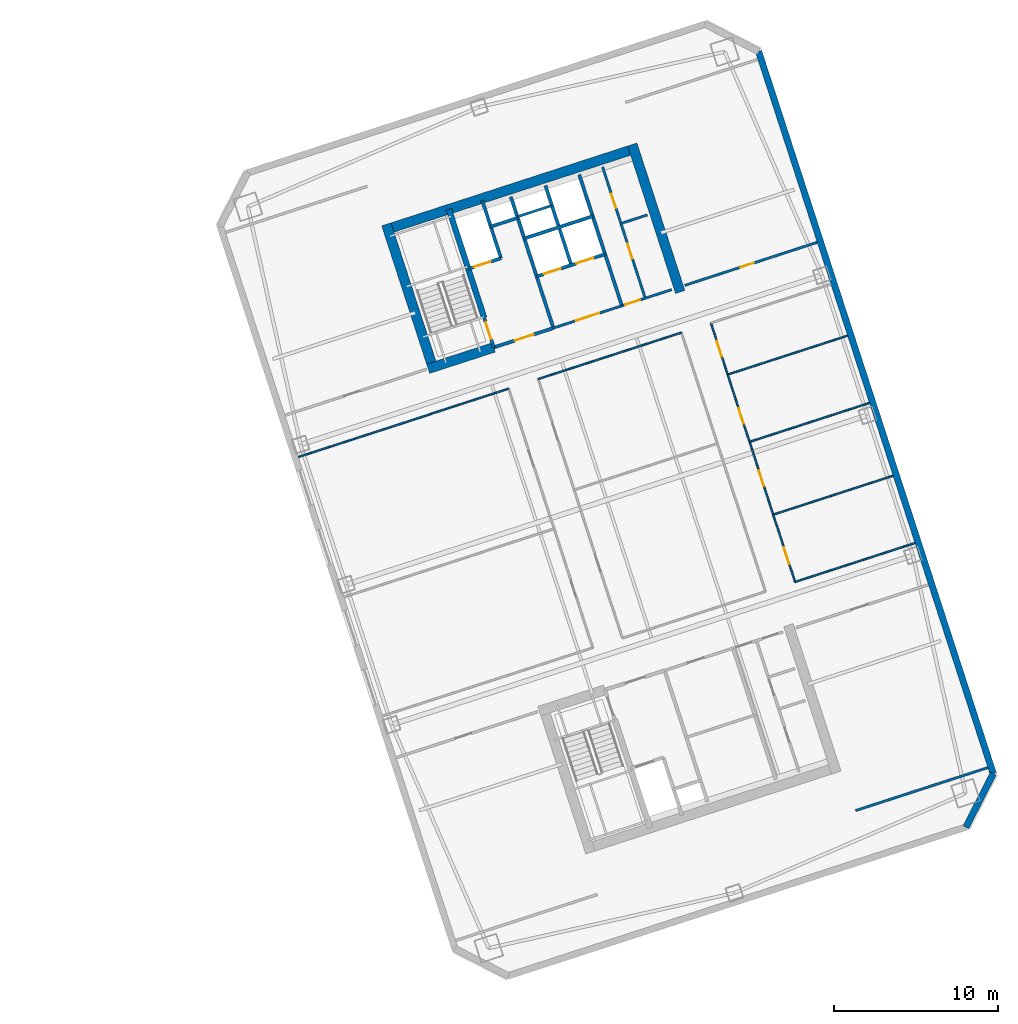
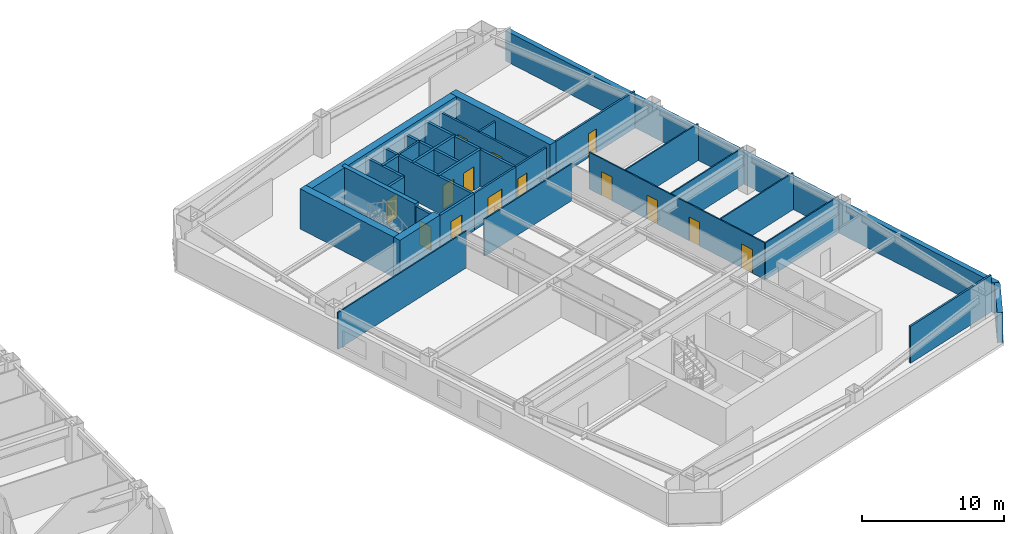
# One storey, part 7 of 10: 31 walls, 14 doors, 14 openings.
"""IFC4 building model written with IfcOpenShell, lengths in metres."""

from ifc_helpers import new_model, si_unit, direction, frame, frame_2d, origin, place, context, subcontext, project, spatial, rectangle, extrude, material, layer, layer_set, type_object, element, fill, save


model = new_model("IFC4")

# Units and contexts
model_context = context("Model", 3, precision=1e-05, world=origin(), true_north=direction((0.0, 1.0)))
body_context = subcontext(model_context, "Body", "Model", "MODEL_VIEW")
ifc_project = project(units=[si_unit("LENGTHUNIT", "METRE"), si_unit("AREAUNIT", "SQUARE_METRE"), si_unit("VOLUMEUNIT", "CUBIC_METRE"), si_unit("PLANEANGLEUNIT", "RADIAN"), si_unit("MASSUNIT", "GRAM", prefix="KILO")], contexts=[model_context])

# Site, building, storey
site_placement = place(None, origin())
site = spatial("IfcSite", under=ifc_project, at=site_placement, CompositionType="ELEMENT")
building_placement = place(site_placement, origin())
building = spatial("IfcBuilding", under=site, at=building_placement, Name="Qiaolan Cultural Towers", CompositionType="ELEMENT")
storey_placement = place(building_placement, frame((0.0, 0.0, 127.64990234375)))
storey = spatial("IfcBuildingStorey", under=building, at=storey_placement, Name="L33", CompositionType="ELEMENT", Elevation=127.64990234375)

# Walls
ifc_material_1 = material(Name="Concrete C50", Category="concrete")
ifc_layer_1 = layer(ifc_material_1, 0.35009765625)
ifc_layer_set_1 = layer_set([ifc_layer_1], Name="Concrete C50")
wall_type_1 = type_object("IfcWallType", Name="WL-CORE-350", PredefinedType="SHEAR", material=ifc_layer_set_1)
wall_1_placement = place(storey_placement, frame((82.513671875, 45.13134765625, 0.0), z_axis=(0.0, 0.0, 1.0), x_axis=(-0.308988790936, 0.951065679686, 0.0)))
element("IfcWall", 1, at=wall_1_placement, inside=storey, type_object=wall_type_1, Name="L33 T2-CN Stair Core Dividing Web", PredefinedType="SHEAR", context=body_context, shape_type="SweptSolid", body=[
    extrude(rectangle(XDim=6.97998046875, YDim=0.35009765625, at=frame_2d((3.489990234375, 0.0))), origin(), (0.0, 0.0, 1.0), 3.4501953125),
])
ifc_material_2 = material(Name="Concrete C55", Category="concrete")
ifc_layer_2 = layer(ifc_material_2, 0.60009765625)
ifc_layer_set_2 = layer_set([ifc_layer_2], Name="Concrete C55")
wall_type_2 = type_object("IfcWallType", Name="WL-CORE-600", PredefinedType="SHEAR", material=ifc_layer_set_2)
wall_2_placement = place(storey_placement, frame((76.343505859375, 50.4658203125, 0.0), z_axis=(0.0, 0.0, 1.0), x_axis=(0.951055727519, 0.309019421968, 0.0)))
element("IfcWall", 2, at=wall_2_placement, inside=storey, type_object=wall_type_2, Name="L33 T2-CN Outer Core Shear Wall", PredefinedType="SHEAR", context=body_context, shape_type="SweptSolid", body=[
    extrude(rectangle(XDim=16.39990234375, YDim=0.60009765625, at=frame_2d((8.199951171875, 0.0))), origin(), (0.0, 0.0, 1.0), 3.4501953125),
])
for number, where, z_axis, x_axis, name in (
    (3, (79.465576171875, 41.827880859375, 0.0), (0.0, 0.0, 1.0), (-0.309041232772, 0.951048640421, 0.0), "L33 T2-CN West Core Shear Wall"),
    (4, (94.4921875, 46.710205078125, 0.0), (0.0, 0.0, 1.0), (-0.309010370028, 0.95105866865, 0.0), "L33 T2-CN East Core Shear Wall"),
):
    element("IfcWall", number, at=place(storey_placement, frame(where, z_axis=z_axis, x_axis=x_axis)), inside=storey, type_object=wall_type_2, Name=name, PredefinedType="SHEAR", context=body_context, shape_type="SweptSolid", body=[
        extrude(rectangle(XDim=9.47998046875, YDim=0.60009765625, at=frame_2d((4.739990234375, 0.0))), origin(), (0.0, 0.0, 1.0), 3.4501953125),
    ])
wall_3_placement = place(storey_placement, frame((79.08740234375, 42.0205078125, 0.0), z_axis=(0.0, 0.0, 1.0), x_axis=(0.951062550203, 0.3089984233, 0.0)))
element("IfcWall", 5, at=wall_3_placement, inside=storey, type_object=wall_type_2, Name="L33 T2-CN Stair Front Shear Wall", PredefinedType="SHEAR", context=body_context, shape_type="SweptSolid", body=[
    extrude(rectangle(XDim=4.219970703125, YDim=0.60009765625, at=frame_2d((2.10986328125, 0.0))), origin(), (0.0, 0.0, 1.0), 3.4501953125),
])
ifc_material_3 = material(Name="Precast Concrete C50 Honed Stone Pier", Category="masonry")
ifc_layer_3 = layer(ifc_material_3, 0.39990234375)
ifc_layer_set_3 = layer_set([ifc_layer_3], Name="Precast Concrete C50 Honed Stone Pier")
wall_type_3 = type_object("IfcWallType", Name="WL-EXT-PIER-400", PredefinedType="SOLIDWALL", material=ifc_layer_set_3)
wall_4_placement = place(storey_placement, frame((99.2841796875, 61.410400390625, 0.0), z_axis=(0.0, 0.0, 1.0), x_axis=(0.309017542002, -0.95105633836, 0.0)))
element("IfcWall", 6, at=wall_4_placement, inside=storey, type_object=wall_type_3, Name="L33 East Tower Precast Pier Facade Wall F5", PredefinedType="SOLIDWALL", context=body_context, shape_type="SweptSolid", body=[
    extrude(rectangle(XDim=46.39990234375, YDim=0.39990234375, at=frame_2d((23.199951171875, 0.0))), origin(), (0.0, 0.0, 1.0), 2.610107421875),
])
wall_5_placement = place(storey_placement, frame((113.62255859375, 17.281494140625, 0.0), z_axis=(0.0, 0.0, 1.0), x_axis=(-0.454026238093, -0.890988313685, 0.0)))
element("IfcWall", 7, at=wall_5_placement, inside=storey, type_object=wall_type_3, Name="L33 East Tower Precast Pier Facade Wall F6", PredefinedType="SOLIDWALL", context=body_context, shape_type="SweptSolid", body=[
    extrude(rectangle(XDim=3.677001953125, YDim=0.39990234375, at=frame_2d((1.83837890625, 0.0))), origin(), (0.0, 0.0, 1.0), 2.610107421875),
])

# Wall, opening, door
ifc_material_4 = material(Name="Concrete C35 Fire Wall", Category="concrete")
ifc_layer_4 = layer(ifc_material_4, 0.199951171875)
ifc_layer_set_4 = layer_set([ifc_layer_4], Name="Concrete C35 Fire Wall")
wall_type_4 = type_object("IfcWallType", Name="WL-FIRE-200", PredefinedType="PARTITIONING", material=ifc_layer_set_4)
wall_6_placement = place(storey_placement, frame((83.100830078125, 43.324462890625, 0.0), z_axis=(0.0, 0.0, 1.0), x_axis=(-0.309048298632, 0.951046344356, 0.0)))
wall_6 = element("IfcWall", 8, at=wall_6_placement, inside=storey, type_object=wall_type_4, Name="L33 T2-CN Smokeproof Stair Entry Wall", PredefinedType="PARTITIONING", context=body_context, shape_type="SweptSolid", body=[
    extrude(rectangle(XDim=1.89990234375, YDim=0.199951171875, at=frame_2d((0.949951171875, 0.0))), origin(), (0.0, 0.0, 1.0), 3.175048828125),
])
opening_1_placement = place(wall_6_placement, frame((0.52001953125, 0.0, 0.0)))
opening_1 = element("IfcOpeningElement", 9, at=opening_1_placement, cuts=wall_6, Name="Opening FD-04", PredefinedType="OPENING", context=body_context, shape_type="SweptSolid", body=[
    extrude(rectangle(XDim=1.10009765625, YDim=2.050048828125, at=frame_2d((0.550048828125, 1.02490234375))), frame((0.0, 0.10986328125, 0.0), z_axis=(0.0, -1.0, 0.0), x_axis=(1.0, 0.0, 0.0)), (0.0, 0.0, 1.0), 0.219970703125),
])
ifc_material_5 = material(Name="Galvanized Steel Command Fire Door", Category="steel")
door_type_1 = type_object("IfcDoorType", Name="DR-FD90-1100", OperationType="NOTDEFINED", PredefinedType="DOOR", material=ifc_material_5)
door_1_placement = place(opening_1_placement, origin())
door_1 = element("IfcDoor", 10, at=door_1_placement, inside=storey, type_object=door_type_1, Name="L33 ST-E2 Smokeproof Stair Fire Door", OperationType="SINGLE_SWING_LEFT", OverallHeight=2.050048828125, OverallWidth=1.10009765625, PredefinedType="DOOR", context=body_context, shape_type="SweptSolid", body=[
    extrude(rectangle(XDim=1.10009765625, YDim=2.050048828125, at=frame_2d((0.550048828125, 1.02490234375))), frame((0.0, 0.02490234375, 0.0), z_axis=(0.0, -1.0, 0.0), x_axis=(1.0, 0.0, 0.0)), (0.0, 0.0, 1.0), 0.050048828125),
])
fill(opening_1, door_1)

# Wall
wall_7_placement = place(storey_placement, frame((86.743408203125, 44.508056640625, 0.0), z_axis=(0.0, 0.0, 1.0), x_axis=(-0.309016001439, 0.951056838919, 0.0)))
element("IfcWall", 11, at=wall_7_placement, inside=storey, type_object=wall_type_4, Name="L33 T2-CN Firefighting Zone Wall", PredefinedType="PARTITIONING", context=body_context, shape_type="SweptSolid", body=[
    extrude(rectangle(XDim=8.429931640625, YDim=0.199951171875, at=frame_2d((4.21484375, 0.0))), origin(), (0.0, 0.0, 1.0), 3.175048828125),
])

# Wall, opening, door
wall_8_placement = place(storey_placement, frame((83.100830078125, 43.324462890625, 0.0), z_axis=(0.0, 0.0, 1.0), x_axis=(0.951052804469, 0.309028417967, 0.0)))
wall_8 = element("IfcWall", 12, at=wall_8_placement, inside=storey, type_object=wall_type_4, Name="L33 T2-CN Firefighting Lobby Front Wall", PredefinedType="PARTITIONING", context=body_context, shape_type="SweptSolid", body=[
    extrude(rectangle(XDim=3.830078125, YDim=0.199951171875, at=frame_2d((1.9150390625, 0.0))), origin(), (0.0, 0.0, 1.0), 3.175048828125),
])
opening_2_placement = place(wall_8_placement, frame((1.35009765625, 0.0, 0.0)))
opening_2 = element("IfcOpeningElement", 13, at=opening_2_placement, cuts=wall_8, Name="Opening FD-03", PredefinedType="OPENING", context=body_context, shape_type="SweptSolid", body=[
    extrude(rectangle(XDim=1.199951171875, YDim=2.050048828125, at=frame_2d((0.60009765625, 1.02490234375))), frame((0.0, 0.10986328125, 0.0), z_axis=(0.0, -1.0, 0.0), x_axis=(1.0, 0.0, 0.0)), (0.0, 0.0, 1.0), 0.219970703125),
])
ifc_material_6 = material(Name="Galvanized Steel Smokeproof Lobby Fire Door", Category="steel")
door_type_2 = type_object("IfcDoorType", Name="DR-FD90-1200", OperationType="NOTDEFINED", PredefinedType="DOOR", material=ifc_material_6)
door_2_placement = place(opening_2_placement, origin())
door_2 = element("IfcDoor", 14, at=door_2_placement, inside=storey, type_object=door_type_2, Name="L33 FFL-E2 Firefighting Lobby Fire Door", OperationType="SINGLE_SWING_LEFT", OverallHeight=2.050048828125, OverallWidth=1.199951171875, PredefinedType="DOOR", context=body_context, shape_type="SweptSolid", body=[
    extrude(rectangle(XDim=1.199951171875, YDim=2.050048828125, at=frame_2d((0.60009765625, 1.02490234375))), frame((0.0, 0.02490234375, 0.0), z_axis=(0.0, -1.0, 0.0), x_axis=(1.0, 0.0, 0.0)), (0.0, 0.0, 1.0), 0.050048828125),
])
fill(opening_2, door_2)

wall_9_placement = place(storey_placement, frame((81.540283203125, 48.127197265625, 0.0), z_axis=(0.0, 0.0, 1.0), x_axis=(0.951062257173, 0.308999325213, 0.0)))
wall_9 = element("IfcWall", 15, at=wall_9_placement, inside=storey, type_object=wall_type_4, Name="L33 T2-CN Firefighting Shaft Front Wall", PredefinedType="PARTITIONING", context=body_context, shape_type="SweptSolid", body=[
    extrude(rectangle(XDim=2.10009765625, YDim=0.199951171875, at=frame_2d((1.050048828125, 0.0))), origin(), (0.0, 0.0, 1.0), 3.175048828125),
])
opening_3_placement = place(wall_9_placement, frame((0.35009765625, 0.0, 0.0)))
opening_3 = element("IfcOpeningElement", 16, at=opening_3_placement, cuts=wall_9, Name="Opening LD-01", PredefinedType="OPENING", context=body_context, shape_type="SweptSolid", body=[
    extrude(rectangle(XDim=1.10009765625, YDim=2.050048828125, at=frame_2d((0.550048828125, 1.02490234375))), frame((0.0, 0.10986328125, 0.0), z_axis=(0.0, -1.0, 0.0), x_axis=(1.0, 0.0, 0.0)), (0.0, 0.0, 1.0), 0.219970703125),
])
ifc_material_7 = material(Name="Brushed Stainless Steel S30408 Centre-Parting Lift Landing Door", Category="steel")
door_type_3 = type_object("IfcDoorType", Name="DR-LIFT-1100", OperationType="NOTDEFINED", PredefinedType="DOOR", material=ifc_material_7)
door_3_placement = place(opening_3_placement, origin())
door_3 = element("IfcDoor", 17, at=door_3_placement, inside=storey, type_object=door_type_3, Name="L33 FFL-E2 Firefighting Lift Landing Door", OperationType="DOUBLE_DOOR_SLIDING", OverallHeight=2.050048828125, OverallWidth=1.10009765625, PredefinedType="DOOR", context=body_context, shape_type="SweptSolid", body=[
    extrude(rectangle(XDim=1.10009765625, YDim=2.050048828125, at=frame_2d((0.550048828125, 1.02490234375))), frame((0.0, 0.02490234375, 0.0), z_axis=(0.0, -1.0, 0.0), x_axis=(1.0, 0.0, 0.0)), (0.0, 0.0, 1.0), 0.050048828125),
])
fill(opening_3, door_3)

# Walls
wall_10_placement = place(storey_placement, frame((83.53759765625, 48.776123046875, 0.0), z_axis=(0.0, 0.0, 1.0), x_axis=(-0.3089935693, 0.951064127245, 0.0)))
element("IfcWall", 18, at=wall_10_placement, inside=storey, type_object=wall_type_4, Name="L33 T2-CN Firefighting Hoistway East Wall", PredefinedType="PARTITIONING", context=body_context, shape_type="SweptSolid", body=[
    extrude(rectangle(XDim=3.7001953125, YDim=0.199951171875, at=frame_2d((1.85009765625, 0.0))), origin(), (0.0, 0.0, 1.0), 3.175048828125),
])
wall_11_placement = place(storey_placement, frame((82.910400390625, 50.706787109375, 0.0), z_axis=(0.0, 0.0, 1.0), x_axis=(0.951041328149, 0.309063734775, 0.0)))
element("IfcWall", 19, at=wall_11_placement, inside=storey, type_object=wall_type_4, Name="L33 T2-CN Pressurization Shaft Front Wall", PredefinedType="PARTITIONING", context=body_context, shape_type="SweptSolid", body=[
    extrude(rectangle(XDim=1.72998046875, YDim=0.199951171875, at=frame_2d((0.864990234375, 0.0))), origin(), (0.0, 0.0, 1.0), 3.175048828125),
])
wall_12_placement = place(storey_placement, frame((90.92822265625, 45.86767578125, 0.0), z_axis=(0.0, 0.0, 1.0), x_axis=(-0.309042196757, 0.951048327176, 0.0)))
element("IfcWall", 20, at=wall_12_placement, inside=storey, type_object=wall_type_4, Name="L33 T2-CN Lift Core East Wall", PredefinedType="PARTITIONING", context=body_context, shape_type="SweptSolid", body=[
    extrude(rectangle(XDim=8.429931640625, YDim=0.199951171875, at=frame_2d((4.21484375, 0.0))), origin(), (0.0, 0.0, 1.0), 3.175048828125),
])

# Wall, openings, doors
wall_13_placement = place(storey_placement, frame((85.717529296875, 47.66552734375, 0.0), z_axis=(0.0, 0.0, 1.0), x_axis=(0.951058531764, 0.30901079133, 0.0)))
wall_13 = element("IfcWall", 21, at=wall_13_placement, inside=storey, type_object=wall_type_4, Name="L33 T2-CN Passenger Lift Shaft Front Wall", PredefinedType="PARTITIONING", context=body_context, shape_type="SweptSolid", body=[
    extrude(rectangle(XDim=4.39990234375, YDim=0.199951171875, at=frame_2d((2.199951171875, 0.0))), origin(), (0.0, 0.0, 1.0), 3.175048828125),
])
opening_4_placement = place(wall_13_placement, frame((0.449951171875, 0.0, 0.0)))
opening_4 = element("IfcOpeningElement", 22, at=opening_4_placement, cuts=wall_13, Name="Opening LD-01", PredefinedType="OPENING", context=body_context, shape_type="SweptSolid", body=[
    extrude(rectangle(XDim=1.10009765625, YDim=2.050048828125, at=frame_2d((0.550048828125, 1.02490234375))), frame((0.0, 0.10986328125, 0.0), z_axis=(0.0, -1.0, 0.0), x_axis=(1.0, 0.0, 0.0)), (0.0, 0.0, 1.0), 0.219970703125),
])
opening_5_placement = place(wall_13_placement, frame((2.550048828125, 0.0, 0.0)))
opening_5 = element("IfcOpeningElement", 23, at=opening_5_placement, cuts=wall_13, Name="Opening LD-01", PredefinedType="OPENING", context=body_context, shape_type="SweptSolid", body=[
    extrude(rectangle(XDim=1.10009765625, YDim=2.050048828125, at=frame_2d((0.550048828125, 1.02490234375))), frame((0.0, 0.10986328125, 0.0), z_axis=(0.0, -1.0, 0.0), x_axis=(1.0, 0.0, 0.0)), (0.0, 0.0, 1.0), 0.219970703125),
])
door_4_placement = place(opening_4_placement, origin())
door_4 = element("IfcDoor", 24, at=door_4_placement, inside=storey, type_object=door_type_3, Name="L33 Passenger Lift 1 Landing Door", OperationType="DOUBLE_DOOR_SLIDING", OverallHeight=2.050048828125, OverallWidth=1.10009765625, PredefinedType="DOOR", context=body_context, shape_type="SweptSolid", body=[
    extrude(rectangle(XDim=1.10009765625, YDim=2.050048828125, at=frame_2d((0.550048828125, 1.02490234375))), frame((0.0, 0.02490234375, 0.0), z_axis=(0.0, -1.0, 0.0), x_axis=(1.0, 0.0, 0.0)), (0.0, 0.0, 1.0), 0.050048828125),
])
fill(opening_4, door_4)
door_5_placement = place(opening_5_placement, origin())
door_5 = element("IfcDoor", 25, at=door_5_placement, inside=storey, type_object=door_type_3, Name="L33 Passenger Lift 2 Landing Door", OperationType="DOUBLE_DOOR_SLIDING", OverallHeight=2.050048828125, OverallWidth=1.10009765625, PredefinedType="DOOR", context=body_context, shape_type="SweptSolid", body=[
    extrude(rectangle(XDim=1.10009765625, YDim=2.050048828125, at=frame_2d((0.550048828125, 1.02490234375))), frame((0.0, 0.02490234375, 0.0), z_axis=(0.0, -1.0, 0.0), x_axis=(1.0, 0.0, 0.0)), (0.0, 0.0, 1.0), 0.050048828125),
])
fill(opening_5, door_5)

# Walls
wall_14_placement = place(storey_placement, frame((87.83837890625, 48.3544921875, 0.0), z_axis=(0.0, 0.0, 1.0), x_axis=(-0.3090093719, 0.951058992953, 0.0)))
element("IfcWall", 26, at=wall_14_placement, inside=storey, type_object=wall_type_4, Name="L33 T2-CN Lift Shaft Divider Wall", PredefinedType="PARTITIONING", context=body_context, shape_type="SweptSolid", body=[
    extrude(rectangle(XDim=5.110107421875, YDim=0.199951171875, at=frame_2d((2.55517578125, 0.0))), origin(), (0.0, 0.0, 1.0), 3.175048828125),
])
wall_15_placement = place(storey_placement, frame((84.966552734375, 49.9765625, 0.0), z_axis=(0.0, 0.0, 1.0), x_axis=(0.951063829732, 0.308994485023, 0.0)))
element("IfcWall", 27, at=wall_15_placement, inside=storey, type_object=wall_type_4, Name="L33 T2-CN Passenger Lift Shaft Back Wall", PredefinedType="PARTITIONING", context=body_context, shape_type="SweptSolid", body=[
    extrude(rectangle(XDim=4.400146484375, YDim=0.199951171875, at=frame_2d((2.2001953125, 0.0))), origin(), (0.0, 0.0, 1.0), 3.175048828125),
])
ifc_material_8 = material(Name="Acoustic Double-Glazed Partition Frame", Category="glass")
ifc_layer_5 = layer(ifc_material_8, 0.10009765625)
ifc_layer_set_5 = layer_set([ifc_layer_5], Name="Acoustic Double-Glazed Partition Frame")
wall_type_5 = type_object("IfcWallType", Name="WL-GLAZED-100", PredefinedType="MOVABLE", material=ifc_layer_set_5)
wall_16_placement = place(storey_placement, frame((101.510986328125, 28.991943359375, 0.0), z_axis=(0.0, 0.0, 1.0), x_axis=(0.951056202154, 0.3090179612, 0.0)))
element("IfcWall", 28, at=wall_16_placement, inside=storey, type_object=wall_type_5, Name="L33 T2 Interior Wall", PredefinedType="MOVABLE", context=body_context, shape_type="SweptSolid", body=[
    extrude(rectangle(XDim=7.699951171875, YDim=0.10009765625, at=frame_2d((3.85009765625, 0.0))), origin(), (0.0, 0.0, 1.0), 3.175048828125),
])
wall_17_placement = place(storey_placement, frame((71.166015625, 36.628662109375, 0.0), z_axis=(0.0, 0.0, 1.0), x_axis=(0.951057589409, 0.309013691651, 0.0)))
element("IfcWall", 29, at=wall_17_placement, inside=storey, type_object=wall_type_5, Name="L33 T2 Interior Wall", PredefinedType="MOVABLE", context=body_context, shape_type="SweptSolid", body=[
    extrude(rectangle(XDim=13.499755859375, YDim=0.10009765625, at=frame_2d((6.75, 0.0))), origin(), (0.0, 0.0, 1.0), 3.175048828125),
])
wall_18_placement = place(storey_placement, frame((85.812255859375, 41.387451171875, 0.0), z_axis=(0.0, 0.0, 1.0), x_axis=(0.951054933035, 0.309021867106, 0.0)))
element("IfcWall", 30, at=wall_18_placement, inside=storey, type_object=wall_type_5, Name="L33 T2 Interior Wall", PredefinedType="MOVABLE", context=body_context, shape_type="SweptSolid", body=[
    extrude(rectangle(XDim=9.199951171875, YDim=0.10009765625, at=frame_2d((4.60009765625, 0.0))), origin(), (0.0, 0.0, 1.0), 3.175048828125),
])

# Wall, openings, doors
wall_19_placement = place(storey_placement, frame((101.510986328125, 28.991943359375, 0.0), z_axis=(0.0, 0.0, 1.0), x_axis=(-0.30901773025, 0.951056277195, 0.0)))
wall_19 = element("IfcWall", 31, at=wall_19_placement, inside=storey, type_object=wall_type_5, Name="L33 T2 Interior Wall", PredefinedType="MOVABLE", context=body_context, shape_type="SweptSolid", body=[
    extrude(rectangle(XDim=16.64013671875, YDim=0.10009765625, at=frame_2d((8.320068359375, 0.0))), origin(), (0.0, 0.0, 1.0), 3.175048828125),
])
opening_6_placement = place(wall_19_placement, frame((1.159912109375, 0.0, 0.0)))
opening_6 = element("IfcOpeningElement", 32, at=opening_6_placement, cuts=wall_19, Name="Opening ID-07", PredefinedType="OPENING", context=body_context, shape_type="SweptSolid", body=[
    extrude(rectangle(XDim=1.050048828125, YDim=2.050048828125, at=frame_2d((0.52490234375, 1.02490234375))), frame((0.0, 0.06005859375, 0.0), z_axis=(0.0, -1.0, 0.0), x_axis=(1.0, 0.0, 0.0)), (0.0, 0.0, 1.0), 0.1201171875),
])
opening_7_placement = place(wall_19_placement, frame((6.159912109375, 0.0, 0.0)))
opening_7 = element("IfcOpeningElement", 33, at=opening_7_placement, cuts=wall_19, Name="Opening ID-04", PredefinedType="OPENING", context=body_context, shape_type="SweptSolid", body=[
    extrude(rectangle(XDim=1.0, YDim=2.050048828125, at=frame_2d((0.5, 1.02490234375))), frame((0.0, 0.06005859375, 0.0), z_axis=(0.0, -1.0, 0.0), x_axis=(1.0, 0.0, 0.0)), (0.0, 0.0, 1.0), 0.1201171875),
])
opening_8_placement = place(wall_19_placement, frame((10.159912109375, 0.0, 0.0)))
opening_8 = element("IfcOpeningElement", 34, at=opening_8_placement, cuts=wall_19, Name="Opening ID-04", PredefinedType="OPENING", context=body_context, shape_type="SweptSolid", body=[
    extrude(rectangle(XDim=1.0, YDim=2.050048828125, at=frame_2d((0.5, 1.02490234375))), frame((0.0, 0.06005859375, 0.0), z_axis=(0.0, -1.0, 0.0), x_axis=(1.0, 0.0, 0.0)), (0.0, 0.0, 1.0), 0.1201171875),
])
opening_9_placement = place(wall_19_placement, frame((14.47998046875, 0.0, 0.0)))
opening_9 = element("IfcOpeningElement", 35, at=opening_9_placement, cuts=wall_19, Name="Opening ID-04", PredefinedType="OPENING", context=body_context, shape_type="SweptSolid", body=[
    extrude(rectangle(XDim=1.0, YDim=2.050048828125, at=frame_2d((0.5, 1.02490234375))), frame((0.0, 0.06005859375, 0.0), z_axis=(0.0, -1.0, 0.0), x_axis=(1.0, 0.0, 0.0)), (0.0, 0.0, 1.0), 0.1201171875),
])
ifc_material_9 = material(Name="Oak Veneer Acoustic Office Door", Category="timber")
door_type_4 = type_object("IfcDoorType", Name="DR-INT-1000", OperationType="NOTDEFINED", PredefinedType="DOOR", material=ifc_material_9)
door_6_placement = place(opening_7_placement, origin())
door_6 = element("IfcDoor", 36, at=door_6_placement, inside=storey, type_object=door_type_4, Name="L33 T2 Staff Dining Kitchen Door", OperationType="SINGLE_SWING_RIGHT", OverallHeight=2.050048828125, OverallWidth=1.0, PredefinedType="DOOR", context=body_context, shape_type="SweptSolid", body=[
    extrude(rectangle(XDim=1.0, YDim=2.050048828125, at=frame_2d((0.5, 1.02490234375))), frame((0.0, 0.02490234375, 0.0), z_axis=(0.0, -1.0, 0.0), x_axis=(1.0, 0.0, 0.0)), (0.0, 0.0, 1.0), 0.050048828125),
])
fill(opening_7, door_6)
door_7_placement = place(opening_8_placement, origin())
door_7 = element("IfcDoor", 37, at=door_7_placement, inside=storey, type_object=door_type_4, Name="L33 T2 Recreation Lounge Door", OperationType="SINGLE_SWING_LEFT", OverallHeight=2.050048828125, OverallWidth=1.0, PredefinedType="DOOR", context=body_context, shape_type="SweptSolid", body=[
    extrude(rectangle(XDim=1.0, YDim=2.050048828125, at=frame_2d((0.5, 1.02490234375))), frame((0.0, 0.02490234375, 0.0), z_axis=(0.0, -1.0, 0.0), x_axis=(1.0, 0.0, 0.0)), (0.0, 0.0, 1.0), 0.050048828125),
])
fill(opening_8, door_7)
door_8_placement = place(opening_9_placement, origin())
door_8 = element("IfcDoor", 38, at=door_8_placement, inside=storey, type_object=door_type_4, Name="L33 T2 Staff Dining Kitchen Door", OperationType="SINGLE_SWING_LEFT", OverallHeight=2.050048828125, OverallWidth=1.0, PredefinedType="DOOR", context=body_context, shape_type="SweptSolid", body=[
    extrude(rectangle(XDim=1.0, YDim=2.050048828125, at=frame_2d((0.5, 1.02490234375))), frame((0.0, 0.02490234375, 0.0), z_axis=(0.0, -1.0, 0.0), x_axis=(1.0, 0.0, 0.0)), (0.0, 0.0, 1.0), 0.050048828125),
])
fill(opening_9, door_8)
ifc_material_10 = material(Name="Oak Veneer Consultation Door", Category="timber")
door_type_5 = type_object("IfcDoorType", Name="DR-INT-1050", OperationType="NOTDEFINED", PredefinedType="DOOR", material=ifc_material_10)
door_9_placement = place(opening_6_placement, origin())
door_9 = element("IfcDoor", 39, at=door_9_placement, inside=storey, type_object=door_type_5, Name="L33 T2 Staff Dining Kitchen Door", OperationType="SINGLE_SWING_RIGHT", OverallHeight=2.050048828125, OverallWidth=1.050048828125, PredefinedType="DOOR", context=body_context, shape_type="SweptSolid", body=[
    extrude(rectangle(XDim=1.050048828125, YDim=2.050048828125, at=frame_2d((0.52490234375, 1.02490234375))), frame((0.0, 0.02490234375, 0.0), z_axis=(0.0, -1.0, 0.0), x_axis=(1.0, 0.0, 0.0)), (0.0, 0.0, 1.0), 0.050048828125),
])
fill(opening_6, door_9)

# Walls
wall_20_placement = place(storey_placement, frame((100.176025390625, 33.1005859375, 0.0), z_axis=(0.0, 0.0, 1.0), x_axis=(0.951056202154, 0.3090179612, 0.0)))
element("IfcWall", 40, at=wall_20_placement, inside=storey, type_object=wall_type_5, Name="L33 T2 Interior Wall", PredefinedType="MOVABLE", context=body_context, shape_type="SweptSolid", body=[
    extrude(rectangle(XDim=7.699951171875, YDim=0.10009765625, at=frame_2d((3.85009765625, 0.0))), origin(), (0.0, 0.0, 1.0), 3.175048828125),
])
for number, where, z_axis, x_axis, name in (
    (41, (98.729736328125, 37.551513671875, 0.0), (0.0, 0.0, 1.0), (0.9510592298, 0.30900864294, 0.0), "L33 T2 Interior Wall"),
    (42, (97.394775390625, 41.66015625, 0.0), (0.0, 0.0, 1.0), (0.9510592298, 0.30900864294, 0.0), "L33 T2 Interior Wall"),
):
    element("IfcWall", number, at=place(storey_placement, frame(where, z_axis=z_axis, x_axis=x_axis)), inside=storey, type_object=wall_type_5, Name=name, PredefinedType="MOVABLE", context=body_context, shape_type="SweptSolid", body=[
        extrude(rectangle(XDim=7.7001953125, YDim=0.10009765625, at=frame_2d((3.85009765625, 0.0))), origin(), (0.0, 0.0, 1.0), 3.175048828125),
    ])

# Wall, opening, door
ifc_material_11 = material(Name="Autoclaved Aerated Concrete Block B06", Category="concrete")
ifc_layer_6 = layer(ifc_material_11, 0.14990234375)
ifc_layer_set_6 = layer_set([ifc_layer_6], Name="Autoclaved Aerated Concrete Block B06")
wall_type_6 = type_object("IfcWallType", Name="WL-PART-150", PredefinedType="PARTITIONING", material=ifc_layer_set_6)
wall_21_placement = place(storey_placement, frame((86.743408203125, 44.508056640625, 0.0), z_axis=(0.0, 0.0, 1.0), x_axis=(0.951063829732, 0.308994485023, 0.0)))
wall_21 = element("IfcWall", 43, at=wall_21_placement, inside=storey, type_object=wall_type_6, Name="L33 T2-CN Passenger Lift Lobby Front Wall", PredefinedType="PARTITIONING", context=body_context, shape_type="SweptSolid", body=[
    extrude(rectangle(XDim=4.400146484375, YDim=0.14990234375, at=frame_2d((2.2001953125, 0.0))), origin(), (0.0, 0.0, 1.0), 3.175048828125),
])
opening_10_placement = place(wall_21_placement, frame((1.449951171875, 0.0, 0.0)))
opening_10 = element("IfcOpeningElement", 44, at=opening_10_placement, cuts=wall_21, Name="Opening FD-05", PredefinedType="OPENING", context=body_context, shape_type="SweptSolid", body=[
    extrude(rectangle(XDim=1.5, YDim=2.050048828125, at=frame_2d((0.75, 1.02490234375))), frame((0.0, 0.0849609375, 0.0), z_axis=(0.0, -1.0, 0.0), x_axis=(1.0, 0.0, 0.0)), (0.0, 0.0, 1.0), 0.169921875),
])
ifc_material_12 = material(Name="Painted Steel Lift Lobby Fire Door", Category="steel")
door_type_6 = type_object("IfcDoorType", Name="DR-FD60-1500", OperationType="NOTDEFINED", PredefinedType="DOOR", material=ifc_material_12)
door_10_placement = place(opening_10_placement, origin())
door_10 = element("IfcDoor", 45, at=door_10_placement, inside=storey, type_object=door_type_6, Name="L33 Passenger Lift Lobby Entrance", OperationType="SINGLE_SWING_LEFT", OverallHeight=2.050048828125, OverallWidth=1.5, PredefinedType="DOOR", context=body_context, shape_type="SweptSolid", body=[
    extrude(rectangle(XDim=1.5, YDim=2.050048828125, at=frame_2d((0.75, 1.02490234375))), frame((0.0, 0.02490234375, 0.0), z_axis=(0.0, -1.0, 0.0), x_axis=(1.0, 0.0, 0.0)), (0.0, 0.0, 1.0), 0.050048828125),
])
fill(opening_10, door_10)

# Wall
wall_22_placement = place(storey_placement, frame((84.533935546875, 51.30810546875, 0.0), z_axis=(0.0, 0.0, 1.0), x_axis=(0.951075093106, 0.308959814982, 0.0)))
element("IfcWall", 46, at=wall_22_placement, inside=storey, type_object=wall_type_6, Name="L33 T2-CN Core Rear Riser Split", PredefinedType="PARTITIONING", context=body_context, shape_type="SweptSolid", body=[
    extrude(rectangle(XDim=2.22998046875, YDim=0.14990234375, at=frame_2d((1.114990234375, 0.0))), origin(), (0.0, 0.0, 1.0), 3.175048828125),
])

# Wall, opening, door
wall_23_placement = place(storey_placement, frame((90.92822265625, 45.86767578125, 0.0), z_axis=(0.0, 0.0, 1.0), x_axis=(0.951059297078, 0.309008435874, 0.0)))
wall_23 = element("IfcWall", 47, at=wall_23_placement, inside=storey, type_object=wall_type_6, Name="L33 T2-CN Sanitary Core Front Wall", PredefinedType="PARTITIONING", context=body_context, shape_type="SweptSolid", body=[
    extrude(rectangle(XDim=3.19970703125, YDim=0.14990234375, at=frame_2d((1.599853515625, 0.0))), origin(), (0.0, 0.0, 1.0), 3.175048828125),
])
opening_11_placement = place(wall_23_placement, frame((0.219970703125, 0.0, 0.0)))
opening_11 = element("IfcOpeningElement", 48, at=opening_11_placement, cuts=wall_23, Name="Opening ID-05", PredefinedType="OPENING", context=body_context, shape_type="SweptSolid", body=[
    extrude(rectangle(XDim=0.949951171875, YDim=2.050048828125, at=frame_2d((0.47509765625, 1.02490234375))), frame((0.0, 0.0849609375, 0.0), z_axis=(0.0, -1.0, 0.0), x_axis=(1.0, 0.0, 0.0)), (0.0, 0.0, 1.0), 0.169921875),
])
ifc_material_13 = material(Name="Fire-Rated Laminate Accessible Core Door", Category="timber")
door_type_7 = type_object("IfcDoorType", Name="DR-INT-950", OperationType="NOTDEFINED", PredefinedType="DOOR", material=ifc_material_13)
door_11_placement = place(opening_11_placement, origin())
door_11 = element("IfcDoor", 49, at=door_11_placement, inside=storey, type_object=door_type_7, Name="L33 Sanitary Lobby Door", OperationType="SINGLE_SWING_LEFT", OverallHeight=2.050048828125, OverallWidth=0.949951171875, PredefinedType="DOOR", context=body_context, shape_type="SweptSolid", body=[
    extrude(rectangle(XDim=0.949951171875, YDim=2.050048828125, at=frame_2d((0.47509765625, 1.02490234375))), frame((0.0, 0.02490234375, 0.0), z_axis=(0.0, -1.0, 0.0), x_axis=(1.0, 0.0, 0.0)), (0.0, 0.0, 1.0), 0.050048828125),
])
fill(opening_11, door_11)

# Wall, openings, doors
wall_24_placement = place(storey_placement, frame((92.354736328125, 46.3310546875, 0.0), z_axis=(0.0, 0.0, 1.0), x_axis=(-0.309007490203, 0.951059604335, 0.0)))
wall_24 = element("IfcWall", 50, at=wall_24_placement, inside=storey, type_object=wall_type_6, Name="L33 T2-CN Washroom Split Wall", PredefinedType="PARTITIONING", context=body_context, shape_type="SweptSolid", body=[
    extrude(rectangle(XDim=8.43017578125, YDim=0.14990234375, at=frame_2d((4.215087890625, 0.0))), origin(), (0.0, 0.0, 1.0), 3.175048828125),
])
opening_12_placement = place(wall_24_placement, frame((2.550048828125, 0.0, 0.0)))
opening_12 = element("IfcOpeningElement", 51, at=opening_12_placement, cuts=wall_24, Name="Opening ID-05", PredefinedType="OPENING", context=body_context, shape_type="SweptSolid", body=[
    extrude(rectangle(XDim=0.949951171875, YDim=2.050048828125, at=frame_2d((0.47509765625, 1.02490234375))), frame((0.0, 0.0849609375, 0.0), z_axis=(0.0, -1.0, 0.0), x_axis=(1.0, 0.0, 0.0)), (0.0, 0.0, 1.0), 0.169921875),
])
opening_13_placement = place(wall_24_placement, frame((5.800048828125, 0.0, 0.0)))
opening_13 = element("IfcOpeningElement", 52, at=opening_13_placement, cuts=wall_24, Name="Opening ID-06", PredefinedType="OPENING", context=body_context, shape_type="SweptSolid", body=[
    extrude(rectangle(XDim=0.89990234375, YDim=2.050048828125, at=frame_2d((0.449951171875, 1.02490234375))), frame((0.0, 0.0849609375, 0.0), z_axis=(0.0, -1.0, 0.0), x_axis=(1.0, 0.0, 0.0)), (0.0, 0.0, 1.0), 0.169921875),
])
ifc_material_14 = material(Name="Fire-Rated Laminate Core Service Door", Category="timber")
door_type_8 = type_object("IfcDoorType", Name="DR-INT-900", OperationType="NOTDEFINED", PredefinedType="DOOR", material=ifc_material_14)
door_12_placement = place(opening_13_placement, origin())
door_12 = element("IfcDoor", 53, at=door_12_placement, inside=storey, type_object=door_type_8, Name="L33 First-Aid Room Door", OperationType="SINGLE_SWING_RIGHT", OverallHeight=2.050048828125, OverallWidth=0.89990234375, PredefinedType="DOOR", context=body_context, shape_type="SweptSolid", body=[
    extrude(rectangle(XDim=0.89990234375, YDim=2.050048828125, at=frame_2d((0.449951171875, 1.02490234375))), frame((0.0, 0.02490234375, 0.0), z_axis=(0.0, -1.0, 0.0), x_axis=(1.0, 0.0, 0.0)), (0.0, 0.0, 1.0), 0.050048828125),
])
fill(opening_13, door_12)
door_13_placement = place(opening_12_placement, origin())
door_13 = element("IfcDoor", 54, at=door_13_placement, inside=storey, type_object=door_type_7, Name="L33 Accessible Washroom Door", OperationType="SINGLE_SWING_LEFT", OverallHeight=2.050048828125, OverallWidth=0.949951171875, PredefinedType="DOOR", context=body_context, shape_type="SweptSolid", body=[
    extrude(rectangle(XDim=0.949951171875, YDim=2.050048828125, at=frame_2d((0.47509765625, 1.02490234375))), frame((0.0, 0.02490234375, 0.0), z_axis=(0.0, -1.0, 0.0), x_axis=(1.0, 0.0, 0.0)), (0.0, 0.0, 1.0), 0.050048828125),
])
fill(opening_12, door_13)

# Walls
wall_25_placement = place(storey_placement, frame((90.871337890625, 50.896240234375, 0.0), z_axis=(0.0, 0.0, 1.0), x_axis=(0.951054116971, 0.309024378638, 0.0)))
element("IfcWall", 55, at=wall_25_placement, inside=storey, type_object=wall_type_6, Name="L33 T2-CN First-Aid Wall", PredefinedType="PARTITIONING", context=body_context, shape_type="SweptSolid", body=[
    extrude(rectangle(XDim=1.7001953125, YDim=0.14990234375, at=frame_2d((0.85009765625, 0.0))), origin(), (0.0, 0.0, 1.0), 3.175048828125),
])
wall_26_placement = place(storey_placement, frame((105.209228515625, 15.02099609375, 0.0), z_axis=(0.0, 0.0, 1.0), x_axis=(0.951054329824, 0.309023723562, 0.0)))
element("IfcWall", 56, at=wall_26_placement, inside=storey, type_object=wall_type_6, Name="L33 T2 Flank Wall FLK-SE", PredefinedType="PARTITIONING", context=body_context, shape_type="SweptSolid", body=[
    extrude(rectangle(XDim=8.5, YDim=0.14990234375, at=frame_2d((4.25, 0.0))), origin(), (0.0, 0.0, 1.0), 3.175048828125),
])

# Wall, opening, door
wall_27_placement = place(storey_placement, frame((94.77978515625, 47.119140625, 0.0), z_axis=(0.0, 0.0, 1.0), x_axis=(0.951054329824, 0.309023723562, 0.0)))
wall_27 = element("IfcWall", 57, at=wall_27_placement, inside=storey, type_object=wall_type_6, Name="L33 T2 Flank Front FLK-NE", PredefinedType="PARTITIONING", context=body_context, shape_type="SweptSolid", body=[
    extrude(rectangle(XDim=8.5, YDim=0.14990234375, at=frame_2d((4.25, 0.0))), origin(), (0.0, 0.0, 1.0), 3.175048828125),
])
opening_14_placement = place(wall_27_placement, frame((3.570068359375, 0.0, 0.0)))
opening_14 = element("IfcOpeningElement", 58, at=opening_14_placement, cuts=wall_27, Name="Opening ID-09", PredefinedType="OPENING", context=body_context, shape_type="SweptSolid", body=[
    extrude(rectangle(XDim=0.85009765625, YDim=2.050048828125, at=frame_2d((0.425048828125, 1.02490234375))), frame((0.0, 0.0849609375, 0.0), z_axis=(0.0, -1.0, 0.0), x_axis=(1.0, 0.0, 0.0)), (0.0, 0.0, 1.0), 0.169921875),
])
ifc_material_15 = material(Name="Moisture-Resistant Laminate Utility Door", Category="timber")
door_type_9 = type_object("IfcDoorType", Name="DR-INT-850", OperationType="NOTDEFINED", PredefinedType="DOOR", material=ifc_material_15)
door_14_placement = place(opening_14_placement, origin())
door_14 = element("IfcDoor", 59, at=door_14_placement, inside=storey, type_object=door_type_9, Name="L33 T2 Corner Studio Door", OperationType="SINGLE_SWING_LEFT", OverallHeight=2.050048828125, OverallWidth=0.85009765625, PredefinedType="DOOR", context=body_context, shape_type="SweptSolid", body=[
    extrude(rectangle(XDim=0.85009765625, YDim=2.050048828125, at=frame_2d((0.425048828125, 1.02490234375))), frame((0.0, 0.02490234375, 0.0), z_axis=(0.0, -1.0, 0.0), x_axis=(1.0, 0.0, 0.0)), (0.0, 0.0, 1.0), 0.050048828125),
])
fill(opening_14, door_14)

save(model, "model.ifc")
